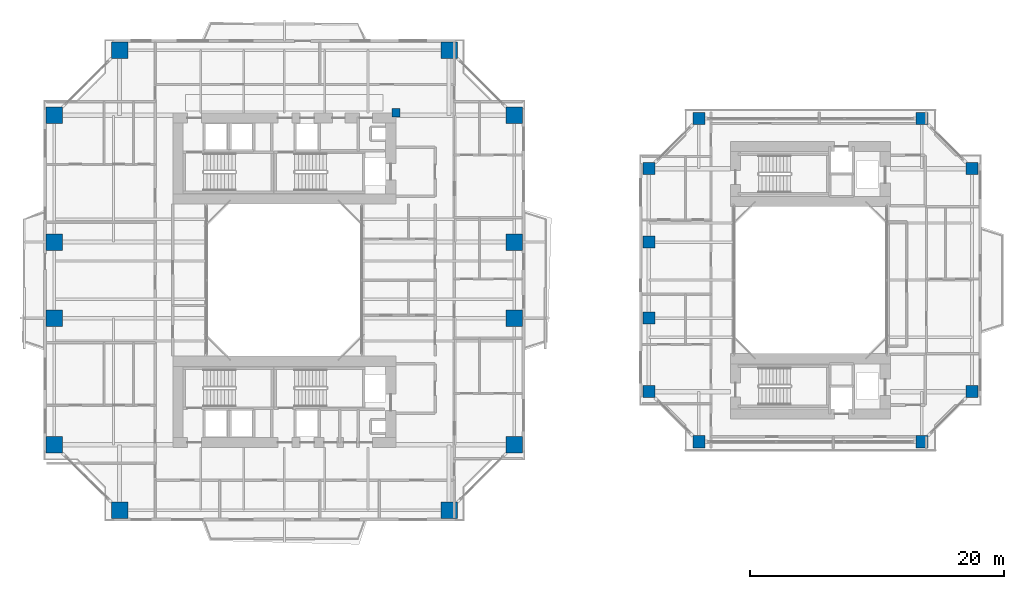
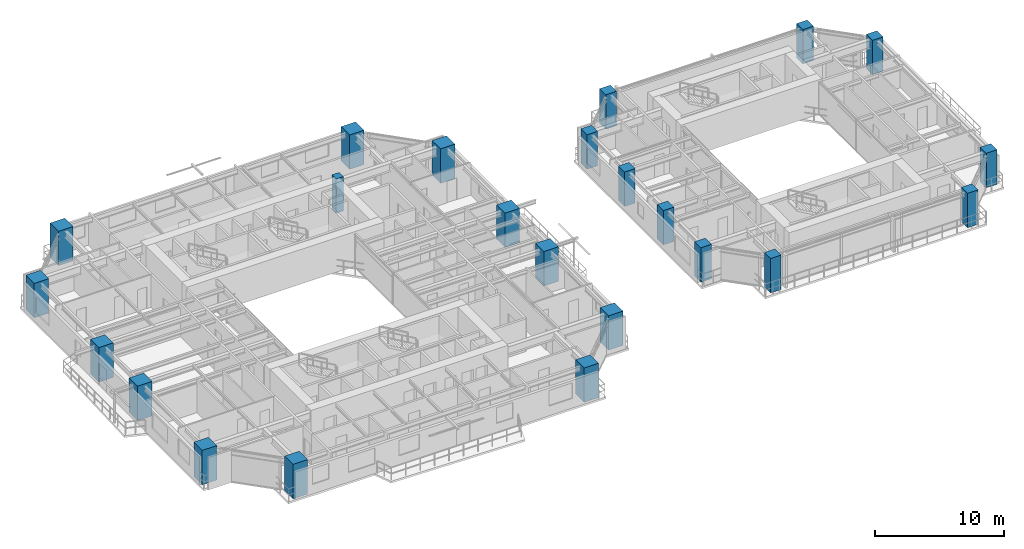
# One storey, part 1 of 24: 23 columns.
"""IFC4 building model written with IfcOpenShell, lengths in metres."""

from ifc_helpers import new_model, si_unit, direction, frame, origin, origin_2d, place, context, subcontext, project, spatial, rectangle, extrude, source, transform, mapped, material, material_profile, profile_set, type_object, element, save


model = new_model("IFC4")

# Units and contexts
model_context = context("Model", 3, precision=1e-05, world=origin(), true_north=direction((0.0, 1.0)))
body_context = subcontext(model_context, "Body", "Model", "MODEL_VIEW")
ifc_project = project(units=[si_unit("LENGTHUNIT", "METRE"), si_unit("AREAUNIT", "SQUARE_METRE"), si_unit("VOLUMEUNIT", "CUBIC_METRE"), si_unit("PLANEANGLEUNIT", "RADIAN"), si_unit("MASSUNIT", "GRAM", prefix="KILO"), si_unit("THERMODYNAMICTEMPERATUREUNIT", "KELVIN"), si_unit("POWERUNIT", "WATT")], contexts=[model_context])

# Site, building, storey
site_placement = place(None, origin())
site = spatial("IfcSite", under=ifc_project, at=site_placement, CompositionType="ELEMENT")
building_placement = place(site_placement, origin())
building = spatial("IfcBuilding", under=site, at=building_placement, Name="Qiaomeng Ring Towers", CompositionType="ELEMENT")
storey_placement = place(building_placement, frame((0.0, 0.0, 56.75)))
storey = spatial("IfcBuildingStorey", under=building, at=storey_placement, Name="L15", CompositionType="ELEMENT", Elevation=56.75)

# Columns
ifc_material_1 = material(Name="Concrete C50", Category="concrete")
ifc_material_profile_1 = material_profile(ifc_material_1, rectangle(XDim=0.64990234375, YDim=0.64990234375, at=origin_2d()), Name="RC COL 650x650")
ifc_profile_set_1 = profile_set([ifc_material_profile_1], Name="Concrete C50")
column_type_1 = type_object("IfcColumnType", Name="STR-PIL-650", PredefinedType="PILASTER", material=ifc_profile_set_1)
shared_shape_1 = source(origin(), body_context, "Body", "SweptSolid", [
    extrude(rectangle(XDim=0.64990234375, YDim=0.64990234375, at=origin_2d()), origin(), (0.0, 0.0, 1.0), 3.25),
])
column_placement = place(storey_placement, frame((27.800048828125, 36.199951171875, 0.0), z_axis=(0.0, 0.0, 1.0), x_axis=(1.0, 0.0, 0.0)))
element("IfcColumn", 1, at=column_placement, inside=storey, type_object=column_type_1, Name="L15 column STR-PIL-L15-N", PredefinedType="PILASTER", context=body_context, shape_type="MappedRepresentation", body=[
    mapped(shared_shape_1, transform((0.0, 0.0, 0.0), x_axis=(1.0, 0.0, 0.0), y_axis=(0.0, 1.0, 0.0), z_axis=(0.0, 0.0, 1.0), scale=1.0)),
])
ifc_material_2 = material(Name="Concrete C60", Category="concrete")
ifc_material_profile_2 = material_profile(ifc_material_2, rectangle(XDim=1.300048828125, YDim=1.300048828125, at=origin_2d()), Name="RC COL 1300x1300")
ifc_profile_set_2 = profile_set([ifc_material_profile_2], Name="Concrete C60")
column_type_2 = type_object("IfcColumnType", Name="STR-COL-1300", PredefinedType="COLUMN", material=ifc_profile_set_2)
shared_shape_2 = source(origin(), body_context, "Body", "SweptSolid", [
    extrude(rectangle(XDim=1.300048828125, YDim=1.300048828125, at=origin_2d()), origin(), (0.0, 0.0, 1.0), 3.25),
])
for number, where, z_axis, x_axis, name in (
    (2, (6.0, 4.85009765625, 0.0), (0.0, 0.0, 1.0), (1.0, 0.0, 0.0), "L15 column STR-COL-L15-T1-S1"),
    (3, (32.0, 4.85009765625, 0.0), (0.0, 0.0, 1.0), (1.0, 0.0, 0.0), "L15 column STR-COL-L15-T1-S2"),
    (4, (37.14990234375, 10.0, 0.0), (0.0, 0.0, 1.0), (1.0, 0.0, 0.0), "L15 column STR-COL-L15-T1-E1"),
    (5, (37.14990234375, 20.0, 0.0), (0.0, 0.0, 1.0), (1.0, 0.0, 0.0), "L15 column STR-COL-L15-T1-E2"),
    (6, (37.14990234375, 26.0, 0.0), (0.0, 0.0, 1.0), (1.0, 0.0, 0.0), "L15 column STR-COL-L15-T1-E3"),
    (7, (37.14990234375, 36.0, 0.0), (0.0, 0.0, 1.0), (1.0, 0.0, 0.0), "L15 column STR-COL-L15-T1-E4"),
    (8, (32.0, 41.14990234375, 0.0), (0.0, 0.0, 1.0), (1.0, 0.0, 0.0), "L15 column STR-COL-L15-T1-N2"),
    (9, (6.0, 41.14990234375, 0.0), (0.0, 0.0, 1.0), (1.0, 0.0, 0.0), "L15 column STR-COL-L15-T1-N1"),
    (10, (0.85009765625, 36.0, 0.0), (0.0, 0.0, 1.0), (1.0, 0.0, 0.0), "L15 column STR-COL-L15-T1-W4"),
    (11, (0.85009765625, 26.0, 0.0), (0.0, 0.0, 1.0), (1.0, 0.0, 0.0), "L15 column STR-COL-L15-T1-W3"),
    (12, (0.85009765625, 20.0, 0.0), (0.0, 0.0, 1.0), (1.0, 0.0, 0.0), "L15 column STR-COL-L15-T1-W2"),
    (13, (0.85009765625, 10.0, 0.0), (0.0, 0.0, 1.0), (1.0, 0.0, 0.0), "L15 column STR-COL-L15-T1-W1"),
):
    element("IfcColumn", number, at=place(storey_placement, frame(where, z_axis=z_axis, x_axis=x_axis)), inside=storey, type_object=column_type_2, Name=name, PredefinedType="COLUMN", context=body_context, shape_type="MappedRepresentation", body=[
        mapped(shared_shape_2, transform((0.0, 0.0, 0.0), x_axis=(1.0, 0.0, 0.0), y_axis=(0.0, 1.0, 0.0), z_axis=(0.0, 0.0, 1.0), scale=1.0)),
    ])
ifc_material_profile_3 = material_profile(ifc_material_2, rectangle(XDim=0.949951171875, YDim=0.949951171875, at=origin_2d()), Name="RC COL 950x950")
ifc_profile_set_3 = profile_set([ifc_material_profile_3], Name="Concrete C60")
column_type_3 = type_object("IfcColumnType", Name="STR-COL-950-C60", PredefinedType="COLUMN", material=ifc_profile_set_3)
shared_shape_3 = source(origin(), body_context, "Body", "SweptSolid", [
    extrude(rectangle(XDim=0.949951171875, YDim=0.949951171875, at=origin_2d()), origin(), (0.0, 0.0, 1.0), 3.25),
])
for number, where, z_axis, x_axis, name in (
    (14, (51.699951171875, 10.25, 0.0), (0.0, 0.0, 1.0), (1.0, 0.0, 0.0), "L15 column STR-COL-L15-T2-S1"),
    (15, (69.300048828125, 10.25, 0.0), (0.0, 0.0, 1.0), (1.0, 0.0, 0.0), "L15 column STR-COL-L15-T2-S2"),
    (16, (73.25, 14.199951171875, 0.0), (0.0, 0.0, 1.0), (1.0, 0.0, 0.0), "L15 column STR-COL-L15-T2-E1"),
    (17, (73.25, 31.800048828125, 0.0), (0.0, 0.0, 1.0), (1.0, 0.0, 0.0), "L15 column STR-COL-L15-T2-E2"),
    (18, (69.300048828125, 35.75, 0.0), (0.0, 0.0, 1.0), (1.0, 0.0, 0.0), "L15 column STR-COL-L15-T2-N2"),
    (19, (51.699951171875, 35.75, 0.0), (0.0, 0.0, 1.0), (1.0, 0.0, 0.0), "L15 column STR-COL-L15-T2-N1"),
    (20, (47.75, 14.199951171875, 0.0), (0.0, 0.0, 1.0), (1.0, 0.0, 0.0), "L15 column STR-COL-L15-T2-W1"),
    (21, (47.75, 20.0, 0.0), (0.0, 0.0, 1.0), (1.0, 0.0, 0.0), "L15 column STR-COL-L15-T2-W2"),
    (22, (47.75, 26.0, 0.0), (0.0, 0.0, 1.0), (1.0, 0.0, 0.0), "L15 column STR-COL-L15-T2-W3"),
    (23, (47.75, 31.800048828125, 0.0), (0.0, 0.0, 1.0), (1.0, 0.0, 0.0), "L15 column STR-COL-L15-T2-W4"),
):
    element("IfcColumn", number, at=place(storey_placement, frame(where, z_axis=z_axis, x_axis=x_axis)), inside=storey, type_object=column_type_3, Name=name, PredefinedType="COLUMN", context=body_context, shape_type="MappedRepresentation", body=[
        mapped(shared_shape_3, transform((0.0, 0.0, 0.0), x_axis=(1.0, 0.0, 0.0), y_axis=(0.0, 1.0, 0.0), z_axis=(0.0, 0.0, 1.0), scale=1.0)),
    ])

save(model, "model.ifc")
